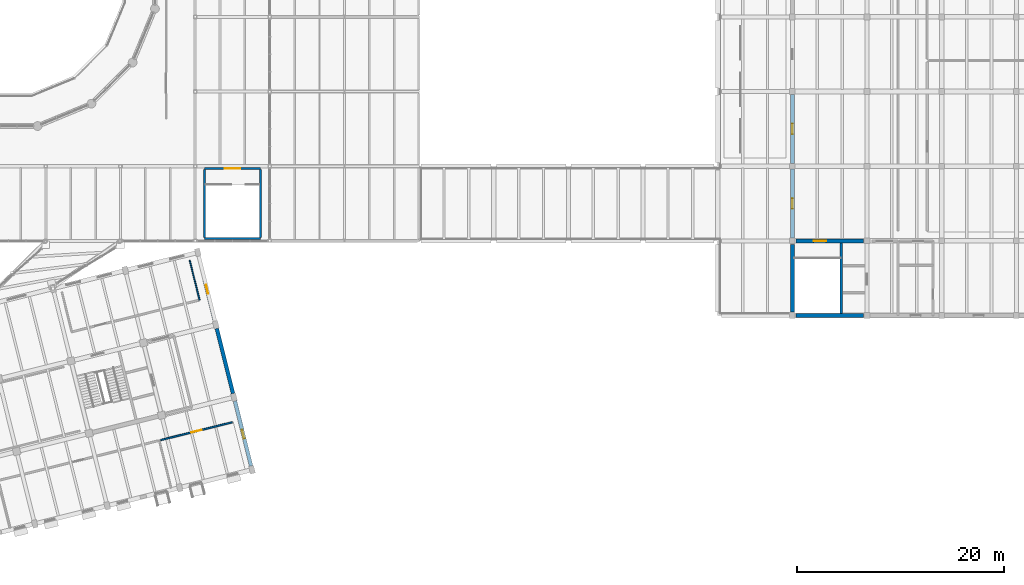
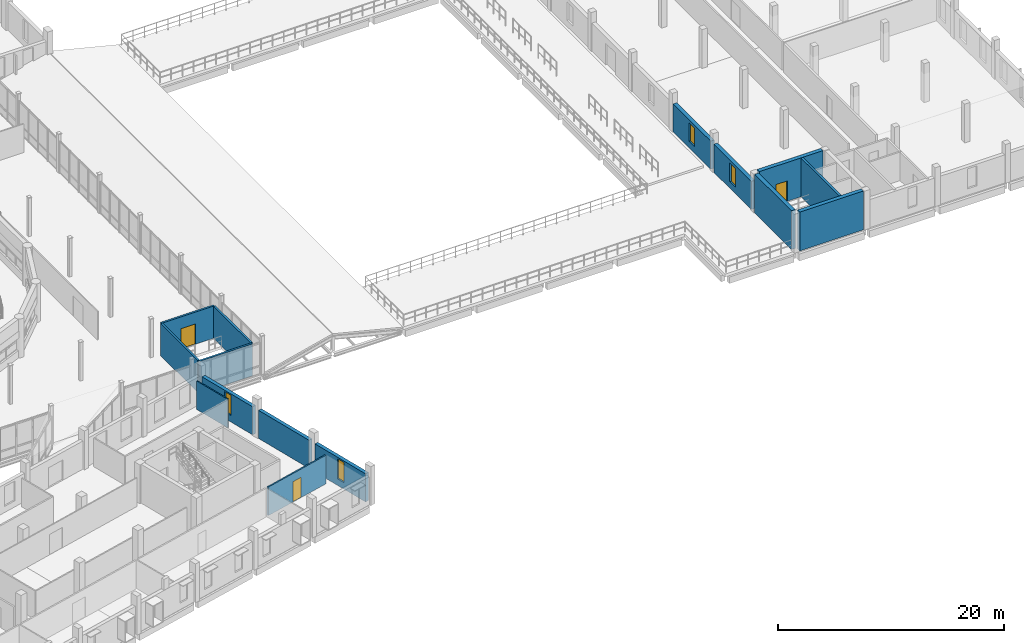
# One storey, part 49 of 63: 15 walls, 4 windows, 3 doors, 7 openings.
"""IFC4 building model written with IfcOpenShell, lengths in metres."""

from ifc_helpers import new_model, si_unit, direction, frame, frame_2d, origin, place, context, subcontext, project, spatial, rectangle, extrude, material, layer, layer_set, type_object, element, fill, save


model = new_model("IFC4")

# Units and contexts
model_context = context("Model", 3, precision=1e-05, world=origin(), true_north=direction((0.0, 1.0)))
body_context = subcontext(model_context, "Body", "Model", "MODEL_VIEW")
ifc_project = project(units=[si_unit("LENGTHUNIT", "METRE"), si_unit("AREAUNIT", "SQUARE_METRE"), si_unit("VOLUMEUNIT", "CUBIC_METRE"), si_unit("PLANEANGLEUNIT", "RADIAN"), si_unit("MASSUNIT", "GRAM", prefix="KILO")], contexts=[model_context])

# Site, building, storey
site_placement = place(None, origin())
site = spatial("IfcSite", under=ifc_project, at=site_placement, CompositionType="ELEMENT")
building_placement = place(site_placement, origin())
building = spatial("IfcBuilding", under=site, at=building_placement, Name="Qiaolan Assembly House", CompositionType="ELEMENT")
storey_placement = place(building_placement, frame((0.0, 0.0, 14.39990234375)))
storey = spatial("IfcBuildingStorey", under=building, at=storey_placement, Name="L03", CompositionType="ELEMENT", Elevation=14.39990234375)

# Wall
ifc_material_1 = material(Name="Concrete C45/55", Category="concrete")
ifc_layer_1 = layer(ifc_material_1, 0.39990234375)
ifc_layer_set_1 = layer_set([ifc_layer_1], Name="Concrete C45/55")
wall_type_1 = type_object("IfcWallType", Name="WAL-CORE-400", PredefinedType="SHEAR", material=ifc_layer_set_1)
wall_1_placement = place(storey_placement, frame((144.35009765625, 28.800048828125, 0.0), z_axis=(0.0, 0.0, 1.0), x_axis=(1.0, 0.0, 0.0)))
element("IfcWall", 1, at=wall_1_placement, inside=storey, type_object=wall_type_1, Name="CW-400 shear core wall CORE-E S L03", PredefinedType="SHEAR", context=body_context, shape_type="SweptSolid", body=[
    extrude(rectangle(XDim=6.5, YDim=0.39990234375, at=frame_2d((3.25, 0.0))), origin(), (0.0, 0.0, 1.0), 4.2001953125),
])

# Wall, opening, door
wall_2_placement = place(storey_placement, frame((150.85009765625, 36.0, 0.0), z_axis=(0.0, 0.0, 1.0), x_axis=(-1.0, 0.0, 0.0)))
wall_2 = element("IfcWall", 2, at=wall_2_placement, inside=storey, type_object=wall_type_1, Name="CW-400 shear core wall CORE-E N L03", PredefinedType="SHEAR", context=body_context, shape_type="SweptSolid", body=[
    extrude(rectangle(XDim=6.5, YDim=0.39990234375, at=frame_2d((3.25, 0.0))), origin(), (0.0, 0.0, 1.0), 4.2001953125),
])
opening_1_placement = place(wall_2_placement, frame((3.60009765625, 0.0, 0.0)))
opening_1 = element("IfcOpeningElement", 3, at=opening_1_placement, cuts=wall_2, Name="Opening FD-121", PredefinedType="OPENING", context=body_context, shape_type="SweptSolid", body=[
    extrude(rectangle(XDim=1.199951171875, YDim=2.199951171875, at=frame_2d((0.60009765625, 1.10009765625))), frame((0.0, 0.2099609375, 0.0), z_axis=(0.0, -1.0, 0.0), x_axis=(1.0, 0.0, 0.0)), (0.0, 0.0, 1.0), 0.419921875),
])
ifc_material_2 = material(Name="Steel Q355B", Category="steel")
door_type_1 = type_object("IfcDoorType", Name="DOR-FIRE-FD90-1200", OperationType="NOTDEFINED", PredefinedType="DOOR", material=ifc_material_2)
door_1_placement = place(opening_1_placement, frame((1.199951171875, 0.0, 0.0), z_axis=(0.0, 0.0, 1.0), x_axis=(-1.0, 0.0, 0.0)))
door_1 = element("IfcDoor", 4, at=door_1_placement, inside=storey, type_object=door_type_1, Name="Stairwell fire door FD-121 (CORE-E L03)", OperationType="SINGLE_SWING_LEFT", OverallHeight=2.199951171875, OverallWidth=1.199951171875, PredefinedType="DOOR", context=body_context, shape_type="SweptSolid", body=[
    extrude(rectangle(XDim=1.199951171875, YDim=2.199951171875, at=frame_2d((0.60009765625, 1.10009765625))), frame((0.0, 0.02490234375, 0.0), z_axis=(0.0, -1.0, 0.0), x_axis=(1.0, 0.0, 0.0)), (0.0, 0.0, 1.0), 0.050048828125),
])
fill(opening_1, door_1)

# Wall
wall_3_placement = place(storey_placement, frame((144.0, 35.64990234375, 0.0), z_axis=(0.0, 0.0, 1.0), x_axis=(0.0, -1.0, 0.0)))
element("IfcWall", 5, at=wall_3_placement, inside=storey, type_object=wall_type_1, Name="CW-400 shear core wall CORE-E W L03", PredefinedType="SHEAR", context=body_context, shape_type="SweptSolid", body=[
    extrude(rectangle(XDim=6.5, YDim=0.39990234375, at=frame_2d((3.25, 0.0))), origin(), (0.0, 0.0, 1.0), 4.2001953125),
])

# Wall, opening, window
ifc_material_3 = material(Name="Honed pale limestone", Category="masonry")
ifc_layer_2 = layer(ifc_material_3, 0.3798828125)
ifc_layer_set_2 = layer_set([ifc_layer_2], Name="Honed pale limestone")
wall_type_2 = type_object("IfcWallType", Name="WAL-EXT-LIB-380", PredefinedType="SOLIDWALL", material=ifc_layer_set_2)
wall_4_placement = place(storey_placement, frame((144.0, 36.27294921875, 0.0), z_axis=(0.0, 0.0, 1.0), x_axis=(0.0, 1.0, 0.0)))
wall_4 = element("IfcWall", 6, at=wall_4_placement, inside=storey, type_object=wall_type_2, Name="Library West court wall L03-2", PredefinedType="SOLIDWALL", context=body_context, shape_type="SweptSolid", body=[
    extrude(rectangle(XDim=6.654052734375, YDim=0.3798828125, at=frame_2d((3.3271484375, 0.0))), origin(), (0.0, 0.0, 1.0), 3.0400390625),
])
opening_2_placement = place(wall_4_placement, frame((2.826904296875, 0.0, 0.699951171875)))
opening_2 = element("IfcOpeningElement", 7, at=opening_2_placement, cuts=wall_4, Name="Opening WN-490", PredefinedType="OPENING", context=body_context, shape_type="SweptSolid", body=[
    extrude(rectangle(XDim=1.0, YDim=2.0, at=frame_2d((0.5, 1.0))), frame((0.0, 0.199951171875, 0.0), z_axis=(0.0, -1.0, 0.0), x_axis=(1.0, 0.0, 0.0)), (0.0, 0.0, 1.0), 0.39990234375),
])
ifc_material_4 = material(Name="Low-E double insulating glass", Category="glass")
window_type_1 = type_object("IfcWindowType", Name="WIN-LIB-ARCH-1000x2000", PartitioningType="SINGLE_PANEL", PredefinedType="WINDOW", material=ifc_material_4)
window_1_placement = place(opening_2_placement, origin())
window_1 = element("IfcWindow", 8, at=window_1_placement, inside=storey, type_object=window_type_1, Name="Library courtyard window WN-490", OverallHeight=2.0, OverallWidth=1.0, PartitioningType="SINGLE_PANEL", PredefinedType="WINDOW", context=body_context, shape_type="SweptSolid", body=[
    extrude(rectangle(XDim=1.0, YDim=2.0, at=frame_2d((0.5, 1.0))), frame((0.0, 0.030029296875, 0.0), z_axis=(0.0, -1.0, 0.0), x_axis=(1.0, 0.0, 0.0)), (0.0, 0.0, 1.0), 0.06005859375),
])
fill(opening_2, window_1)

wall_5_placement = place(storey_placement, frame((144.0, 43.472900390625, 0.0), z_axis=(0.0, 0.0, 1.0), x_axis=(0.0, 1.0, 0.0)))
wall_5 = element("IfcWall", 9, at=wall_5_placement, inside=storey, type_object=wall_type_2, Name="Library West court wall L03-3", PredefinedType="SOLIDWALL", context=body_context, shape_type="SweptSolid", body=[
    extrude(rectangle(XDim=6.654052734375, YDim=0.3798828125, at=frame_2d((3.3271484375, 0.0))), origin(), (0.0, 0.0, 1.0), 3.0400390625),
])
opening_3_placement = place(wall_5_placement, frame((2.826904296875, 0.0, 0.699951171875)))
opening_3 = element("IfcOpeningElement", 10, at=opening_3_placement, cuts=wall_5, Name="Opening WN-493", PredefinedType="OPENING", context=body_context, shape_type="SweptSolid", body=[
    extrude(rectangle(XDim=1.0, YDim=2.0, at=frame_2d((0.5, 1.0))), frame((0.0, 0.199951171875, 0.0), z_axis=(0.0, -1.0, 0.0), x_axis=(1.0, 0.0, 0.0)), (0.0, 0.0, 1.0), 0.39990234375),
])
window_2_placement = place(opening_3_placement, origin())
window_2 = element("IfcWindow", 11, at=window_2_placement, inside=storey, type_object=window_type_1, Name="Library courtyard window WN-493", OverallHeight=2.0, OverallWidth=1.0, PartitioningType="SINGLE_PANEL", PredefinedType="WINDOW", context=body_context, shape_type="SweptSolid", body=[
    extrude(rectangle(XDim=1.0, YDim=2.0, at=frame_2d((0.5, 1.0))), frame((0.0, 0.030029296875, 0.0), z_axis=(0.0, -1.0, 0.0), x_axis=(1.0, 0.0, 0.0)), (0.0, 0.0, 1.0), 0.06005859375),
])
fill(opening_3, window_2)

ifc_layer_3 = layer(ifc_material_3, 0.360107421875)
ifc_layer_set_3 = layer_set([ifc_layer_3], Name="Honed pale limestone")
wall_type_3 = type_object("IfcWallType", Name="WAL-EXT-LIMESTONE-360", PredefinedType="SOLIDWALL", material=ifc_layer_set_3)
wall_6_placement = place(storey_placement, frame((91.798828125, 14.296630859375, 0.0), z_axis=(0.0, 0.0, 1.0), x_axis=(-0.241912519272, 0.970298064009, 0.0)))
wall_6 = element("IfcWall", 12, at=wall_6_placement, inside=storey, type_object=wall_type_3, Name="SE East wall L03-1", PredefinedType="SOLIDWALL", context=body_context, shape_type="SweptSolid", body=[
    extrude(rectangle(XDim=6.453857421875, YDim=0.360107421875, at=frame_2d((3.22705078125, 0.0))), origin(), (0.0, 0.0, 1.0), 3.0400390625),
])
opening_4_placement = place(wall_6_placement, frame((2.72705078125, 0.0, 0.699951171875)))
opening_4 = element("IfcOpeningElement", 13, at=opening_4_placement, cuts=wall_6, Name="Opening WN-338", PredefinedType="OPENING", context=body_context, shape_type="SweptSolid", body=[
    extrude(rectangle(XDim=0.85009765625, YDim=2.18994140625, at=frame_2d((0.425048828125, 1.094970703125))), frame((0.0, 0.18994140625, 0.0), z_axis=(0.0, -1.0, 0.0), x_axis=(1.0, 0.0, 0.0)), (0.0, 0.0, 1.0), 0.380126953125),
])
window_type_2 = type_object("IfcWindowType", Name="WIN-END-850x2200", PartitioningType="SINGLE_PANEL", PredefinedType="WINDOW", material=ifc_material_4)
window_3_placement = place(opening_4_placement, origin())
window_3 = element("IfcWindow", 14, at=window_3_placement, inside=storey, type_object=window_type_2, Name="SE East window WN-338", OverallHeight=2.18994140625, OverallWidth=0.85009765625, PartitioningType="SINGLE_PANEL", PredefinedType="WINDOW", context=body_context, shape_type="SweptSolid", body=[
    extrude(rectangle(XDim=0.85009765625, YDim=2.18994140625, at=frame_2d((0.425048828125, 1.094970703125))), frame((0.0, 0.030029296875, 0.0), z_axis=(0.0, -1.0, 0.0), x_axis=(1.0, 0.0, 0.0)), (0.0, 0.0, 1.0), 0.06005859375),
])
fill(opening_4, window_3)

# Wall
wall_7_placement = place(storey_placement, frame((90.056884765625, 21.28271484375, 0.0), z_axis=(0.0, 0.0, 1.0), x_axis=(-0.241912519272, 0.970298064009, 0.0)))
element("IfcWall", 15, at=wall_7_placement, inside=storey, type_object=wall_type_3, Name="SE East wall L03-2", PredefinedType="SOLIDWALL", context=body_context, shape_type="SweptSolid", body=[
    extrude(rectangle(XDim=6.453857421875, YDim=0.360107421875, at=frame_2d((3.22705078125, 0.0))), origin(), (0.0, 0.0, 1.0), 3.0400390625),
])

# Wall, opening, window
wall_8_placement = place(storey_placement, frame((88.315185546875, 28.268798828125, 0.0), z_axis=(0.0, 0.0, 1.0), x_axis=(-0.241939253206, 0.970291398374, 0.0)))
wall_8 = element("IfcWall", 16, at=wall_8_placement, inside=storey, type_object=wall_type_3, Name="SE East wall L03-3", PredefinedType="SOLIDWALL", context=body_context, shape_type="SweptSolid", body=[
    extrude(rectangle(XDim=6.4541015625, YDim=0.360107421875, at=frame_2d((3.22705078125, 0.0))), origin(), (0.0, 0.0, 1.0), 3.0400390625),
])
opening_5_placement = place(wall_8_placement, frame((2.72705078125, 0.0, 0.699951171875)))
opening_5 = element("IfcOpeningElement", 17, at=opening_5_placement, cuts=wall_8, Name="Opening WN-339", PredefinedType="OPENING", context=body_context, shape_type="SweptSolid", body=[
    extrude(rectangle(XDim=0.85009765625, YDim=2.18994140625, at=frame_2d((0.425048828125, 1.094970703125))), frame((0.0, 0.18994140625, 0.0), z_axis=(0.0, -1.0, 0.0), x_axis=(1.0, 0.0, 0.0)), (0.0, 0.0, 1.0), 0.380126953125),
])
window_4_placement = place(opening_5_placement, origin())
window_4 = element("IfcWindow", 18, at=window_4_placement, inside=storey, type_object=window_type_2, Name="SE East window WN-339", OverallHeight=2.18994140625, OverallWidth=0.85009765625, PartitioningType="SINGLE_PANEL", PredefinedType="WINDOW", context=body_context, shape_type="SweptSolid", body=[
    extrude(rectangle(XDim=0.85009765625, YDim=2.18994140625, at=frame_2d((0.425048828125, 1.094970703125))), frame((0.0, 0.030029296875, 0.0), z_axis=(0.0, -1.0, 0.0), x_axis=(1.0, 0.0, 0.0)), (0.0, 0.0, 1.0), 0.06005859375),
])
fill(opening_5, window_4)

# Wall, opening, door
ifc_material_5 = material(Name="Concrete C35/45", Category="concrete")
ifc_layer_4 = layer(ifc_material_5, 0.199951171875)
ifc_layer_set_4 = layer_set([ifc_layer_4], Name="Concrete C35/45")
wall_type_4 = type_object("IfcWallType", Name="WAL-LOBBY-200", PredefinedType="PARTITIONING", material=ifc_layer_set_4)
wall_9_placement = place(storey_placement, frame((87.300048828125, 42.97998046875, 0.0), z_axis=(0.0, 0.0, 1.0), x_axis=(1.0, 0.0, 0.0)))
wall_9 = element("IfcWall", 19, at=wall_9_placement, inside=storey, type_object=wall_type_4, Name="LW-200 foyer stairwell north wall F2 L03", PredefinedType="PARTITIONING", context=body_context, shape_type="SweptSolid", body=[
    extrude(rectangle(XDim=5.39990234375, YDim=0.199951171875, at=frame_2d((2.699951171875, 0.0))), origin(), (0.0, 0.0, 1.0), 3.47998046875),
])
opening_6_placement = place(wall_9_placement, frame((1.949951171875, 0.0, 0.0)))
opening_6 = element("IfcOpeningElement", 20, at=opening_6_placement, cuts=wall_9, Name="Opening FD-923", PredefinedType="OPENING", context=body_context, shape_type="SweptSolid", body=[
    extrude(rectangle(XDim=1.5, YDim=2.199951171875, at=frame_2d((0.75, 1.10009765625))), frame((0.0, 0.10986328125, 0.0), z_axis=(0.0, -1.0, 0.0), x_axis=(1.0, 0.0, 0.0)), (0.0, 0.0, 1.0), 0.219970703125),
])
ifc_material_6 = material(Name="Acoustic oak panelling")
door_type_2 = type_object("IfcDoorType", Name="DOR-LOBBY-FD60-1500", OperationType="DOUBLE_DOOR_SINGLE_SWING", PredefinedType="DOOR", material=ifc_material_6)
door_2_placement = place(opening_6_placement, origin())
door_2 = element("IfcDoor", 21, at=door_2_placement, inside=storey, type_object=door_type_2, Name="Foyer stairwell fire door FD-923", OperationType="DOUBLE_DOOR_SINGLE_SWING", OverallHeight=2.199951171875, OverallWidth=1.5, PredefinedType="DOOR", context=body_context, shape_type="SweptSolid", body=[
    extrude(rectangle(XDim=1.5, YDim=2.199951171875, at=frame_2d((0.75, 1.10009765625))), frame((0.0, 0.02490234375, 0.0), z_axis=(0.0, -1.0, 0.0), x_axis=(1.0, 0.0, 0.0)), (0.0, 0.0, 1.0), 0.050048828125),
])
fill(opening_6, door_2)

# Walls
wall_10_placement = place(storey_placement, frame((92.699951171875, 36.219970703125, 0.0), z_axis=(0.0, 0.0, 1.0), x_axis=(-1.0, 0.0, 0.0)))
element("IfcWall", 22, at=wall_10_placement, inside=storey, type_object=wall_type_4, Name="LW-200 foyer stairwell south wall F2 L03", PredefinedType="PARTITIONING", context=body_context, shape_type="SweptSolid", body=[
    extrude(rectangle(XDim=5.39990234375, YDim=0.199951171875, at=frame_2d((2.699951171875, 0.0))), origin(), (0.0, 0.0, 1.0), 3.47998046875),
])
for number, where, z_axis, x_axis, name in (
    (23, (87.300048828125, 42.8798828125, 0.0), (0.0, 0.0, 1.0), (0.0, -1.0, 0.0), "LW-200 foyer stairwell west wall F2 L03"),
    (24, (92.699951171875, 36.320068359375, 0.0), (0.0, 0.0, 1.0), (0.0, 1.0, 0.0), "LW-200 foyer stairwell east wall F2 L03"),
):
    element("IfcWall", number, at=place(storey_placement, frame(where, z_axis=z_axis, x_axis=x_axis)), inside=storey, type_object=wall_type_4, Name=name, PredefinedType="PARTITIONING", context=body_context, shape_type="SweptSolid", body=[
        extrude(rectangle(XDim=6.559814453125, YDim=0.199951171875, at=frame_2d((3.27978515625, 0.0))), origin(), (0.0, 0.0, 1.0), 3.47998046875),
    ])
ifc_material_7 = material(Name="Gypsum plasterboard partition")
ifc_layer_5 = layer(ifc_material_7, 0.1201171875)
ifc_layer_set_5 = layer_set([ifc_layer_5], Name="Gypsum plasterboard partition")
wall_type_5 = type_object("IfcWallType", Name="WAL-PART-120", PredefinedType="PARTITIONING", material=ifc_layer_set_5)
wall_11_placement = place(storey_placement, frame((85.874755859375, 34.129638671875, 0.0), z_axis=(0.0, 0.0, 1.0), x_axis=(0.241910239337, -0.970298632434, 0.0)))
element("IfcWall", 25, at=wall_11_placement, inside=storey, type_object=wall_type_5, Name="Boulevard Wing Project Office L03 east wall", PredefinedType="PARTITIONING", context=body_context, shape_type="SweptSolid", body=[
    extrude(rectangle(XDim=3.9501953125, YDim=0.1201171875, at=frame_2d((1.97509765625, 0.0))), origin(), (0.0, 0.0, 1.0), 3.080078125),
])

# Wall, opening, door
ifc_layer_6 = layer(ifc_material_7, 0.14990234375)
ifc_layer_set_6 = layer_set([ifc_layer_6], Name="Gypsum plasterboard partition")
wall_type_6 = type_object("IfcWallType", Name="WAL-PART-150", PredefinedType="PARTITIONING", material=ifc_layer_set_6)
wall_12_placement = place(storey_placement, frame((83.0869140625, 16.7900390625, 0.0), z_axis=(0.0, 0.0, 1.0), x_axis=(0.970289980954, 0.241944937661, 0.0)))
wall_12 = element("IfcWall", 26, at=wall_12_placement, inside=storey, type_object=wall_type_6, Name="Departmental Server & Comms Closet north wall", PredefinedType="PARTITIONING", context=body_context, shape_type="SweptSolid", body=[
    extrude(rectangle(XDim=7.099853515625, YDim=0.14990234375, at=frame_2d((3.5498046875, 0.0))), origin(), (0.0, 0.0, 1.0), 3.080078125),
])
opening_7_placement = place(wall_12_placement, frame((3.050048828125, 0.0, 0.0)))
opening_7 = element("IfcOpeningElement", 27, at=opening_7_placement, cuts=wall_12, Name="Opening SD-258", PredefinedType="OPENING", context=body_context, shape_type="SweptSolid", body=[
    extrude(rectangle(XDim=1.0, YDim=2.199951171875, at=frame_2d((0.5, 1.10009765625))), frame((0.0, 0.0849609375, 0.0), z_axis=(0.0, -1.0, 0.0), x_axis=(1.0, 0.0, 0.0)), (0.0, 0.0, 1.0), 0.169921875),
])
door_type_3 = type_object("IfcDoorType", Name="DOR-OFF-SGL-1000", OperationType="NOTDEFINED", PredefinedType="DOOR", material=ifc_material_6)
door_3_placement = place(opening_7_placement, origin())
door_3 = element("IfcDoor", 28, at=door_3_placement, inside=storey, type_object=door_type_3, Name="Departmental Server & Comms Closet door SD-258", OperationType="SINGLE_SWING_LEFT", OverallHeight=2.199951171875, OverallWidth=1.0, PredefinedType="DOOR", context=body_context, shape_type="SweptSolid", body=[
    extrude(rectangle(XDim=1.0, YDim=2.199951171875, at=frame_2d((0.5, 1.10009765625))), frame((0.0, 0.02490234375, 0.0), z_axis=(0.0, -1.0, 0.0), x_axis=(1.0, 0.0, 0.0)), (0.0, 0.0, 1.0), 0.050048828125),
])
fill(opening_7, door_3)

# Wall
ifc_material_8 = material(Name="Concrete C40/50", Category="concrete")
ifc_layer_7 = layer(ifc_material_8, 0.22509765625)
ifc_layer_set_7 = layer_set([ifc_layer_7], Name="Concrete C40/50")
wall_type_7 = type_object("IfcWallType", Name="WAL-STAIR-DIV-225", PredefinedType="SHEAR", material=ifc_layer_set_7)
wall_13_placement = place(storey_placement, frame((148.719970703125, 29.02001953125, 0.0), z_axis=(0.0, 0.0, 1.0), x_axis=(0.0, 1.0, 0.0)))
element("IfcWall", 29, at=wall_13_placement, inside=storey, type_object=wall_type_7, Name="SDW-225 stairwell structural spine wall CORE-E L03", PredefinedType="SHEAR", context=body_context, shape_type="SweptSolid", body=[
    extrude(rectangle(XDim=6.760009765625, YDim=0.22509765625, at=frame_2d((3.3798828125, 0.0))), origin(), (0.0, 0.0, 1.0), 4.2001953125),
])

save(model, "model.ifc")
